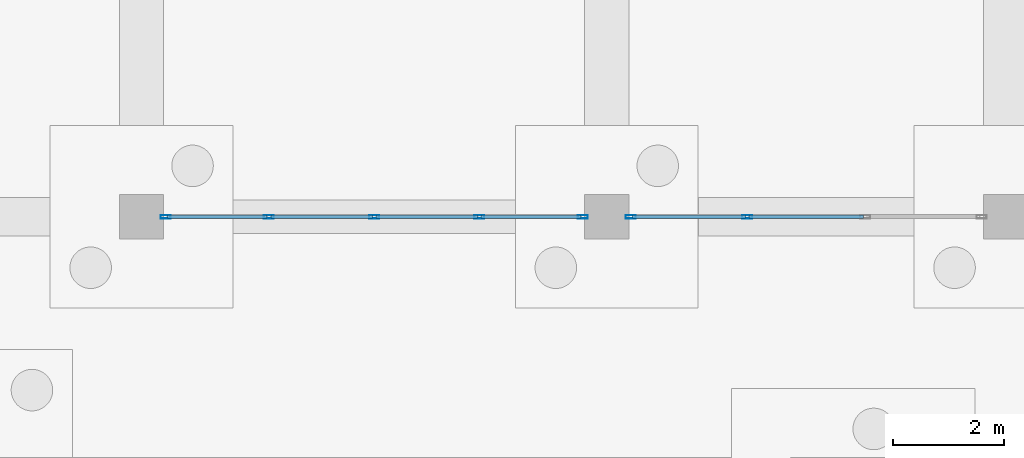
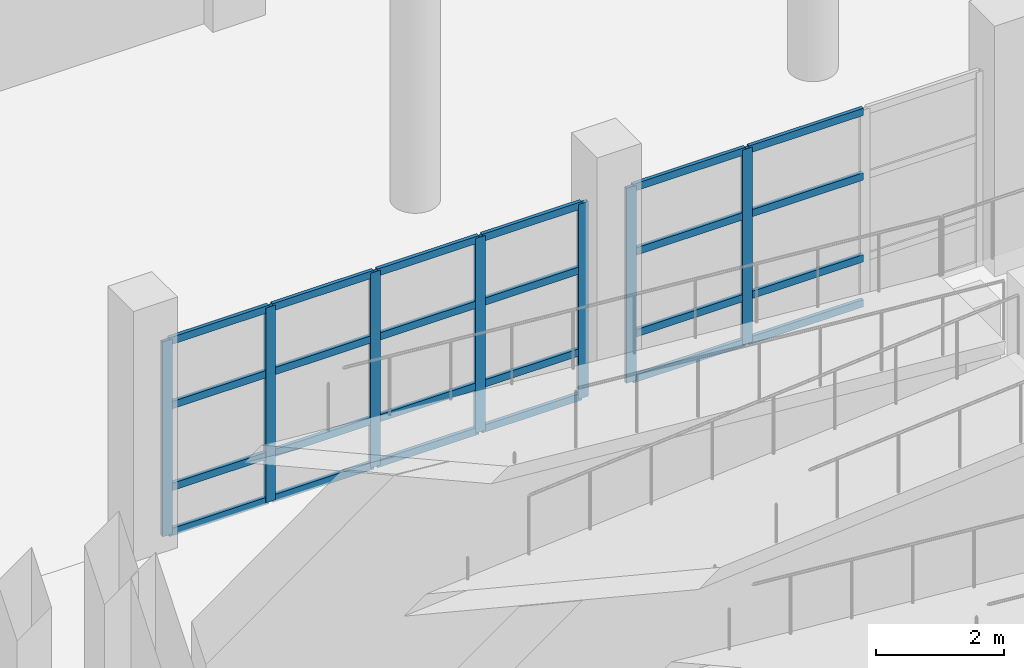
# One storey, part 19 of 42: 31 members, 2 elements without a shape of their own.
"""IFC4 building model written with IfcOpenShell, lengths in metres."""

from ifc_helpers import new_model, si_unit, direction, frame, origin, origin_2d, place, context, subcontext, project, spatial, hollow_rectangle, extrude, material, material_profile, profile_set, type_object, element, aggregate, save


model = new_model("IFC4")

# Units and contexts
model_context = context("Model", 3, precision=1e-05, world=origin(), true_north=direction((0.0, 1.0)))
body_context = subcontext(model_context, "Body", "Model", "MODEL_VIEW")
ifc_project = project(units=[si_unit("LENGTHUNIT", "METRE"), si_unit("AREAUNIT", "SQUARE_METRE"), si_unit("VOLUMEUNIT", "CUBIC_METRE"), si_unit("PLANEANGLEUNIT", "RADIAN"), si_unit("MASSUNIT", "GRAM", prefix="KILO")], contexts=[model_context])

# Site, building, storey
site_placement = place(None, origin())
site = spatial("IfcSite", under=ifc_project, at=site_placement, CompositionType="ELEMENT")
building_placement = place(site_placement, origin())
building = spatial("IfcBuilding", under=site, at=building_placement, Name="Pellamere Symphony Hall", CompositionType="ELEMENT")
storey_placement = place(building_placement, frame((0.0, 0.0, -4.800048828125)))
storey = spatial("IfcBuildingStorey", under=building, at=storey_placement, Name="B1", CompositionType="ELEMENT", Elevation=-4.800048828125)

# Curtain wall, members
ifc_material_1 = material(Name="Thermally Broken Anodised Aluminium 6063-T6 Curtain Wall", Category="aluminium")
curtain_wall_type = type_object("IfcCurtainWallType", Name="Curtain Wall CW-02 (Winter-Garden South Concourse Curtain Wall)", PredefinedType="NOTDEFINED", material=ifc_material_1)
curtain_wall_1_placement = place(storey_placement, origin())
curtain_wall_1 = element("IfcCurtainWall", 1, at=curtain_wall_1_placement, inside=storey, type_object=curtain_wall_type, Name="Winter-Garden South Curtain Wall (B1 Bay 1)", PredefinedType="NOTDEFINED")
ifc_material_2 = material(Name="Anodised Architectural Aluminium 6063-T6", Category="aluminium")
ifc_material_profile_1 = material_profile(ifc_material_2, hollow_rectangle(XDim=0.06494140625, YDim=0.179931640625, WallThickness=0.00390625, at=origin_2d()), Name="ALU-M65X180X4")
ifc_profile_set_1 = profile_set([ifc_material_profile_1], Name="Anodised Architectural Aluminium 6063-T6")
member_type_1 = type_object("IfcMemberType", Name="Curtain Wall Mullion ML-02 ALU-M65X180X4", PredefinedType="MULLION", material=ifc_profile_set_1)
member_1_placement = place(storey_placement, frame((50.83251953125, 18.0, 0.0), z_axis=(0.0, 0.0, 1.0), x_axis=(0.0, 1.0, 0.0)))
member_1 = element("IfcMember", 2, at=member_1_placement, type_object=member_type_1, Name="CW2-057 crystal mullion 1", PredefinedType="MULLION", context=body_context, shape_type="SweptSolid", body=[
    extrude(hollow_rectangle(XDim=0.06494140625, YDim=0.179931640625, WallThickness=0.00390625, at=origin_2d()), origin(), (0.0, 0.0, 1.0), 3.72998046875),
])
member_2_placement = place(storey_placement, frame((52.699951171875, 18.0, 0.0), z_axis=(0.0, 0.0, 1.0), x_axis=(0.0, 1.0, 0.0)))
member_2 = element("IfcMember", 3, at=member_2_placement, type_object=member_type_1, Name="CW2-057 crystal mullion 2", PredefinedType="MULLION", context=body_context, shape_type="SweptSolid", body=[
    extrude(hollow_rectangle(XDim=0.06494140625, YDim=0.179931640625, WallThickness=0.00390625, at=origin_2d()), origin(), (0.0, 0.0, 1.0), 3.72998046875),
])
member_3_placement = place(storey_placement, frame((54.60009765625, 18.0, 0.0), z_axis=(0.0, 0.0, 1.0), x_axis=(0.0, 1.0, 0.0)))
member_3 = element("IfcMember", 4, at=member_3_placement, type_object=member_type_1, Name="CW2-057 crystal mullion 3", PredefinedType="MULLION", context=body_context, shape_type="SweptSolid", body=[
    extrude(hollow_rectangle(XDim=0.06494140625, YDim=0.179931640625, WallThickness=0.00390625, at=origin_2d()), origin(), (0.0, 0.0, 1.0), 3.72998046875),
])
member_4_placement = place(storey_placement, frame((56.5, 18.0, 0.0), z_axis=(0.0, 0.0, 1.0), x_axis=(0.0, 1.0, 0.0)))
member_4 = element("IfcMember", 5, at=member_4_placement, type_object=member_type_1, Name="CW2-057 crystal mullion 4", PredefinedType="MULLION", context=body_context, shape_type="SweptSolid", body=[
    extrude(hollow_rectangle(XDim=0.06494140625, YDim=0.179931640625, WallThickness=0.00390625, at=origin_2d()), origin(), (0.0, 0.0, 1.0), 3.72998046875),
])
member_5_placement = place(storey_placement, frame((58.367431640625, 18.0, 0.0), z_axis=(0.0, 0.0, 1.0), x_axis=(0.0, 1.0, 0.0)))
member_5 = element("IfcMember", 6, at=member_5_placement, type_object=member_type_1, Name="CW2-057 crystal mullion 5", PredefinedType="MULLION", context=body_context, shape_type="SweptSolid", body=[
    extrude(hollow_rectangle(XDim=0.06494140625, YDim=0.179931640625, WallThickness=0.00390625, at=origin_2d()), origin(), (0.0, 0.0, 1.0), 3.72998046875),
])

curtain_wall_2_placement = place(storey_placement, origin())
curtain_wall_2 = element("IfcCurtainWall", 7, at=curtain_wall_2_placement, inside=storey, type_object=curtain_wall_type, Name="Winter-Garden South Curtain Wall (B1 Bay 2)", PredefinedType="NOTDEFINED")
member_6_placement = place(storey_placement, frame((59.232421875, 18.0, 0.0), z_axis=(0.0, 0.0, 1.0), x_axis=(0.0, 1.0, 0.0)))
member_6 = element("IfcMember", 8, at=member_6_placement, type_object=member_type_1, Name="CW2-058 crystal mullion 1", PredefinedType="MULLION", context=body_context, shape_type="SweptSolid", body=[
    extrude(hollow_rectangle(XDim=0.06494140625, YDim=0.179931640625, WallThickness=0.00390625, at=origin_2d()), origin(), (0.0, 0.0, 1.0), 3.72998046875),
])
member_7_placement = place(storey_placement, frame((61.333251953125, 18.0, 0.0), z_axis=(0.0, 0.0, 1.0), x_axis=(0.0, 1.0, 0.0)))
member_7 = element("IfcMember", 9, at=member_7_placement, type_object=member_type_1, Name="CW2-058 crystal mullion 2", PredefinedType="MULLION", context=body_context, shape_type="SweptSolid", body=[
    extrude(hollow_rectangle(XDim=0.06494140625, YDim=0.179931640625, WallThickness=0.00390625, at=origin_2d()), origin(), (0.0, 0.0, 1.0), 3.72998046875),
])

# Member
ifc_material_profile_2 = material_profile(ifc_material_2, hollow_rectangle(XDim=0.06494140625, YDim=0.139892578125, WallThickness=0.00390625, at=origin_2d()), Name="ALU-T65X140X4")
ifc_profile_set_2 = profile_set([ifc_material_profile_2], Name="Anodised Architectural Aluminium 6063-T6")
member_type_2 = type_object("IfcMemberType", Name="Curtain Wall Transom TR-02 ALU-T65X140X4", PredefinedType="USERDEFINED", material=ifc_profile_set_2)
member_8_placement = place(storey_placement, frame((50.864990234375, 18.0, 0.032470703125), z_axis=(1.0, 0.0, 0.0), x_axis=(0.0, 1.0, 0.0)))
member_8 = element("IfcMember", 10, at=member_8_placement, type_object=member_type_2, Name="CW2-057 crystal transom 1.1", ObjectType="TRANSOM", PredefinedType="USERDEFINED", context=body_context, shape_type="SweptSolid", body=[
    extrude(hollow_rectangle(XDim=0.06494140625, YDim=0.139892578125, WallThickness=0.00390625, at=origin_2d()), origin(), (0.0, 0.0, 1.0), 1.802490234375),
])

member_9_placement = place(storey_placement, frame((50.864990234375, 18.0, 0.895263671875), z_axis=(1.0, 0.0, 0.0), x_axis=(0.0, 1.0, 0.0)))
member_9 = element("IfcMember", 11, at=member_9_placement, type_object=member_type_2, Name="CW2-057 crystal transom 1.2", ObjectType="TRANSOM", PredefinedType="USERDEFINED", context=body_context, shape_type="SweptSolid", body=[
    extrude(hollow_rectangle(XDim=0.06494140625, YDim=0.139892578125, WallThickness=0.00390625, at=origin_2d()), origin(), (0.0, 0.0, 1.0), 1.802490234375),
])

member_10_placement = place(storey_placement, frame((50.864990234375, 18.0, 2.4619140625), z_axis=(1.0, 0.0, 0.0), x_axis=(0.0, 1.0, 0.0)))
member_10 = element("IfcMember", 12, at=member_10_placement, type_object=member_type_2, Name="CW2-057 crystal transom 1.3", ObjectType="TRANSOM", PredefinedType="USERDEFINED", context=body_context, shape_type="SweptSolid", body=[
    extrude(hollow_rectangle(XDim=0.06494140625, YDim=0.139892578125, WallThickness=0.00390625, at=origin_2d()), origin(), (0.0, 0.0, 1.0), 1.802490234375),
])

member_11_placement = place(storey_placement, frame((50.864990234375, 18.0, 3.697509765625), z_axis=(1.0, 0.0, 0.0), x_axis=(0.0, 1.0, 0.0)))
member_11 = element("IfcMember", 13, at=member_11_placement, type_object=member_type_2, Name="CW2-057 crystal transom 1.4", ObjectType="TRANSOM", PredefinedType="USERDEFINED", context=body_context, shape_type="SweptSolid", body=[
    extrude(hollow_rectangle(XDim=0.06494140625, YDim=0.139892578125, WallThickness=0.00390625, at=origin_2d()), origin(), (0.0, 0.0, 1.0), 1.802490234375),
])

member_12_placement = place(storey_placement, frame((52.732421875, 18.0, 0.032470703125), z_axis=(1.0, 0.0, 0.0), x_axis=(0.0, 1.0, 0.0)))
member_12 = element("IfcMember", 14, at=member_12_placement, type_object=member_type_2, Name="CW2-057 crystal transom 2.1", ObjectType="TRANSOM", PredefinedType="USERDEFINED", context=body_context, shape_type="SweptSolid", body=[
    extrude(hollow_rectangle(XDim=0.06494140625, YDim=0.139892578125, WallThickness=0.00390625, at=origin_2d()), origin(), (0.0, 0.0, 1.0), 1.8349609375),
])

member_13_placement = place(storey_placement, frame((52.732421875, 18.0, 0.895263671875), z_axis=(1.0, 0.0, 0.0), x_axis=(0.0, 1.0, 0.0)))
member_13 = element("IfcMember", 15, at=member_13_placement, type_object=member_type_2, Name="CW2-057 crystal transom 2.2", ObjectType="TRANSOM", PredefinedType="USERDEFINED", context=body_context, shape_type="SweptSolid", body=[
    extrude(hollow_rectangle(XDim=0.06494140625, YDim=0.139892578125, WallThickness=0.00390625, at=origin_2d()), origin(), (0.0, 0.0, 1.0), 1.8349609375),
])

member_14_placement = place(storey_placement, frame((52.732421875, 18.0, 2.4619140625), z_axis=(1.0, 0.0, 0.0), x_axis=(0.0, 1.0, 0.0)))
member_14 = element("IfcMember", 16, at=member_14_placement, type_object=member_type_2, Name="CW2-057 crystal transom 2.3", ObjectType="TRANSOM", PredefinedType="USERDEFINED", context=body_context, shape_type="SweptSolid", body=[
    extrude(hollow_rectangle(XDim=0.06494140625, YDim=0.139892578125, WallThickness=0.00390625, at=origin_2d()), origin(), (0.0, 0.0, 1.0), 1.8349609375),
])

member_15_placement = place(storey_placement, frame((52.732421875, 18.0, 3.697509765625), z_axis=(1.0, 0.0, 0.0), x_axis=(0.0, 1.0, 0.0)))
member_15 = element("IfcMember", 17, at=member_15_placement, type_object=member_type_2, Name="CW2-057 crystal transom 2.4", ObjectType="TRANSOM", PredefinedType="USERDEFINED", context=body_context, shape_type="SweptSolid", body=[
    extrude(hollow_rectangle(XDim=0.06494140625, YDim=0.139892578125, WallThickness=0.00390625, at=origin_2d()), origin(), (0.0, 0.0, 1.0), 1.8349609375),
])

member_16_placement = place(storey_placement, frame((54.632568359375, 18.0, 0.032470703125), z_axis=(1.0, 0.0, 0.0), x_axis=(0.0, 1.0, 0.0)))
member_16 = element("IfcMember", 18, at=member_16_placement, type_object=member_type_2, Name="CW2-057 crystal transom 3.1", ObjectType="TRANSOM", PredefinedType="USERDEFINED", context=body_context, shape_type="SweptSolid", body=[
    extrude(hollow_rectangle(XDim=0.06494140625, YDim=0.139892578125, WallThickness=0.00390625, at=origin_2d()), origin(), (0.0, 0.0, 1.0), 1.8349609375),
])

member_17_placement = place(storey_placement, frame((54.632568359375, 18.0, 0.895263671875), z_axis=(1.0, 0.0, 0.0), x_axis=(0.0, 1.0, 0.0)))
member_17 = element("IfcMember", 19, at=member_17_placement, type_object=member_type_2, Name="CW2-057 crystal transom 3.2", ObjectType="TRANSOM", PredefinedType="USERDEFINED", context=body_context, shape_type="SweptSolid", body=[
    extrude(hollow_rectangle(XDim=0.06494140625, YDim=0.139892578125, WallThickness=0.00390625, at=origin_2d()), origin(), (0.0, 0.0, 1.0), 1.8349609375),
])

member_18_placement = place(storey_placement, frame((54.632568359375, 18.0, 2.4619140625), z_axis=(1.0, 0.0, 0.0), x_axis=(0.0, 1.0, 0.0)))
member_18 = element("IfcMember", 20, at=member_18_placement, type_object=member_type_2, Name="CW2-057 crystal transom 3.3", ObjectType="TRANSOM", PredefinedType="USERDEFINED", context=body_context, shape_type="SweptSolid", body=[
    extrude(hollow_rectangle(XDim=0.06494140625, YDim=0.139892578125, WallThickness=0.00390625, at=origin_2d()), origin(), (0.0, 0.0, 1.0), 1.8349609375),
])

member_19_placement = place(storey_placement, frame((54.632568359375, 18.0, 3.697509765625), z_axis=(1.0, 0.0, 0.0), x_axis=(0.0, 1.0, 0.0)))
member_19 = element("IfcMember", 21, at=member_19_placement, type_object=member_type_2, Name="CW2-057 crystal transom 3.4", ObjectType="TRANSOM", PredefinedType="USERDEFINED", context=body_context, shape_type="SweptSolid", body=[
    extrude(hollow_rectangle(XDim=0.06494140625, YDim=0.139892578125, WallThickness=0.00390625, at=origin_2d()), origin(), (0.0, 0.0, 1.0), 1.8349609375),
])

member_20_placement = place(storey_placement, frame((56.532470703125, 18.0, 0.032470703125), z_axis=(1.0, 0.0, 0.0), x_axis=(0.0, 1.0, 0.0)))
member_20 = element("IfcMember", 22, at=member_20_placement, type_object=member_type_2, Name="CW2-057 crystal transom 4.1", ObjectType="TRANSOM", PredefinedType="USERDEFINED", context=body_context, shape_type="SweptSolid", body=[
    extrude(hollow_rectangle(XDim=0.06494140625, YDim=0.139892578125, WallThickness=0.00390625, at=origin_2d()), origin(), (0.0, 0.0, 1.0), 1.802490234375),
])

member_21_placement = place(storey_placement, frame((56.532470703125, 18.0, 0.895263671875), z_axis=(1.0, 0.0, 0.0), x_axis=(0.0, 1.0, 0.0)))
member_21 = element("IfcMember", 23, at=member_21_placement, type_object=member_type_2, Name="CW2-057 crystal transom 4.2", ObjectType="TRANSOM", PredefinedType="USERDEFINED", context=body_context, shape_type="SweptSolid", body=[
    extrude(hollow_rectangle(XDim=0.06494140625, YDim=0.139892578125, WallThickness=0.00390625, at=origin_2d()), origin(), (0.0, 0.0, 1.0), 1.802490234375),
])

member_22_placement = place(storey_placement, frame((56.532470703125, 18.0, 2.4619140625), z_axis=(1.0, 0.0, 0.0), x_axis=(0.0, 1.0, 0.0)))
member_22 = element("IfcMember", 24, at=member_22_placement, type_object=member_type_2, Name="CW2-057 crystal transom 4.3", ObjectType="TRANSOM", PredefinedType="USERDEFINED", context=body_context, shape_type="SweptSolid", body=[
    extrude(hollow_rectangle(XDim=0.06494140625, YDim=0.139892578125, WallThickness=0.00390625, at=origin_2d()), origin(), (0.0, 0.0, 1.0), 1.802490234375),
])

member_23_placement = place(storey_placement, frame((56.532470703125, 18.0, 3.697509765625), z_axis=(1.0, 0.0, 0.0), x_axis=(0.0, 1.0, 0.0)))
member_23 = element("IfcMember", 25, at=member_23_placement, type_object=member_type_2, Name="CW2-057 crystal transom 4.4", ObjectType="TRANSOM", PredefinedType="USERDEFINED", context=body_context, shape_type="SweptSolid", body=[
    extrude(hollow_rectangle(XDim=0.06494140625, YDim=0.139892578125, WallThickness=0.00390625, at=origin_2d()), origin(), (0.0, 0.0, 1.0), 1.802490234375),
])

aggregate(curtain_wall_1, [member_1, member_2, member_3, member_4, member_5, member_8, member_9, member_10, member_11, member_12, member_13, member_14, member_15, member_16, member_17, member_18, member_19, member_20, member_21, member_22, member_23])

member_24_placement = place(storey_placement, frame((59.264892578125, 18.0, 0.032470703125), z_axis=(1.0, 0.0, 0.0), x_axis=(0.0, 1.0, 0.0)))
member_24 = element("IfcMember", 26, at=member_24_placement, type_object=member_type_2, Name="CW2-058 crystal transom 1.1", ObjectType="TRANSOM", PredefinedType="USERDEFINED", context=body_context, shape_type="SweptSolid", body=[
    extrude(hollow_rectangle(XDim=0.06494140625, YDim=0.139892578125, WallThickness=0.00390625, at=origin_2d()), origin(), (0.0, 0.0, 1.0), 2.035888671875),
])

member_25_placement = place(storey_placement, frame((59.264892578125, 18.0, 0.895263671875), z_axis=(1.0, 0.0, 0.0), x_axis=(0.0, 1.0, 0.0)))
member_25 = element("IfcMember", 27, at=member_25_placement, type_object=member_type_2, Name="CW2-058 crystal transom 1.2", ObjectType="TRANSOM", PredefinedType="USERDEFINED", context=body_context, shape_type="SweptSolid", body=[
    extrude(hollow_rectangle(XDim=0.06494140625, YDim=0.139892578125, WallThickness=0.00390625, at=origin_2d()), origin(), (0.0, 0.0, 1.0), 2.035888671875),
])

member_26_placement = place(storey_placement, frame((59.264892578125, 18.0, 2.4619140625), z_axis=(1.0, 0.0, 0.0), x_axis=(0.0, 1.0, 0.0)))
member_26 = element("IfcMember", 28, at=member_26_placement, type_object=member_type_2, Name="CW2-058 crystal transom 1.3", ObjectType="TRANSOM", PredefinedType="USERDEFINED", context=body_context, shape_type="SweptSolid", body=[
    extrude(hollow_rectangle(XDim=0.06494140625, YDim=0.139892578125, WallThickness=0.00390625, at=origin_2d()), origin(), (0.0, 0.0, 1.0), 2.035888671875),
])

member_27_placement = place(storey_placement, frame((59.264892578125, 18.0, 3.697509765625), z_axis=(1.0, 0.0, 0.0), x_axis=(0.0, 1.0, 0.0)))
member_27 = element("IfcMember", 29, at=member_27_placement, type_object=member_type_2, Name="CW2-058 crystal transom 1.4", ObjectType="TRANSOM", PredefinedType="USERDEFINED", context=body_context, shape_type="SweptSolid", body=[
    extrude(hollow_rectangle(XDim=0.06494140625, YDim=0.139892578125, WallThickness=0.00390625, at=origin_2d()), origin(), (0.0, 0.0, 1.0), 2.035888671875),
])

member_28_placement = place(storey_placement, frame((61.36572265625, 18.0, 0.032470703125), z_axis=(1.0, 0.0, 0.0), x_axis=(0.0, 1.0, 0.0)))
member_28 = element("IfcMember", 30, at=member_28_placement, type_object=member_type_2, Name="CW2-058 crystal transom 2.1", ObjectType="TRANSOM", PredefinedType="USERDEFINED", context=body_context, shape_type="SweptSolid", body=[
    extrude(hollow_rectangle(XDim=0.06494140625, YDim=0.139892578125, WallThickness=0.00390625, at=origin_2d()), origin(), (0.0, 0.0, 1.0), 2.068359375),
])

member_29_placement = place(storey_placement, frame((61.36572265625, 18.0, 0.895263671875), z_axis=(1.0, 0.0, 0.0), x_axis=(0.0, 1.0, 0.0)))
member_29 = element("IfcMember", 31, at=member_29_placement, type_object=member_type_2, Name="CW2-058 crystal transom 2.2", ObjectType="TRANSOM", PredefinedType="USERDEFINED", context=body_context, shape_type="SweptSolid", body=[
    extrude(hollow_rectangle(XDim=0.06494140625, YDim=0.139892578125, WallThickness=0.00390625, at=origin_2d()), origin(), (0.0, 0.0, 1.0), 2.068359375),
])

member_30_placement = place(storey_placement, frame((61.36572265625, 18.0, 2.4619140625), z_axis=(1.0, 0.0, 0.0), x_axis=(0.0, 1.0, 0.0)))
member_30 = element("IfcMember", 32, at=member_30_placement, type_object=member_type_2, Name="CW2-058 crystal transom 2.3", ObjectType="TRANSOM", PredefinedType="USERDEFINED", context=body_context, shape_type="SweptSolid", body=[
    extrude(hollow_rectangle(XDim=0.06494140625, YDim=0.139892578125, WallThickness=0.00390625, at=origin_2d()), origin(), (0.0, 0.0, 1.0), 2.068359375),
])

member_31_placement = place(storey_placement, frame((61.36572265625, 18.0, 3.697509765625), z_axis=(1.0, 0.0, 0.0), x_axis=(0.0, 1.0, 0.0)))
member_31 = element("IfcMember", 33, at=member_31_placement, type_object=member_type_2, Name="CW2-058 crystal transom 2.4", ObjectType="TRANSOM", PredefinedType="USERDEFINED", context=body_context, shape_type="SweptSolid", body=[
    extrude(hollow_rectangle(XDim=0.06494140625, YDim=0.139892578125, WallThickness=0.00390625, at=origin_2d()), origin(), (0.0, 0.0, 1.0), 2.068359375),
])

aggregate(curtain_wall_2, [member_6, member_7, member_24, member_25, member_26, member_27, member_28, member_29, member_30, member_31])

save(model, "model.ifc")
